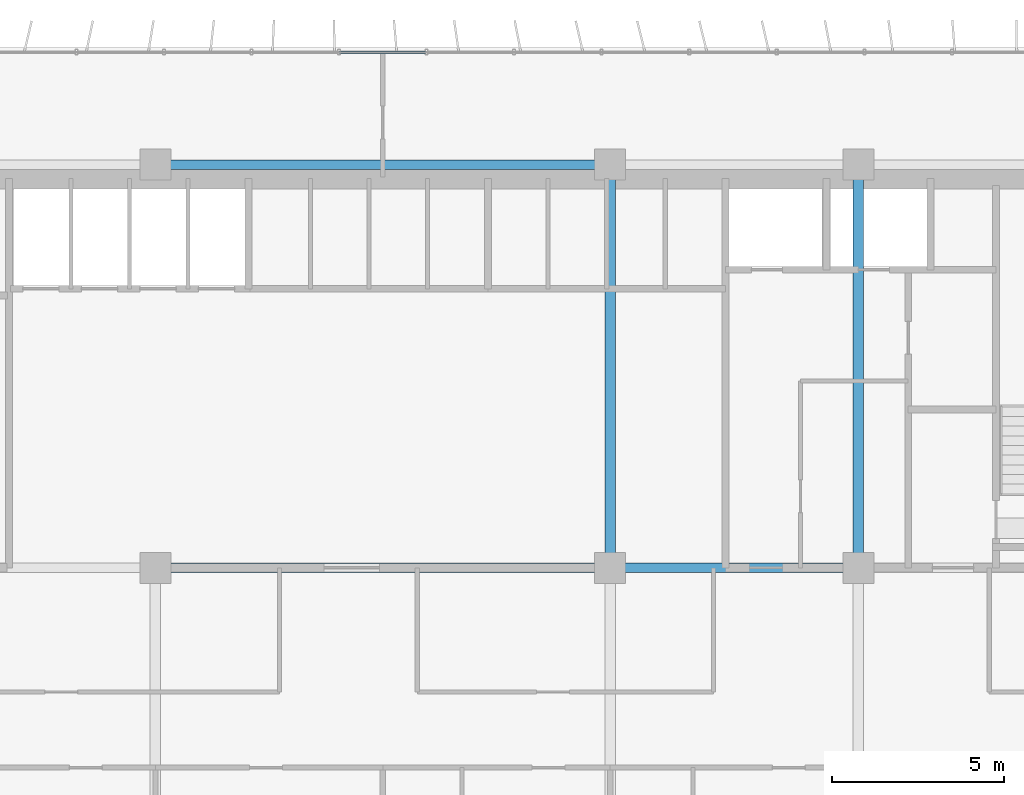
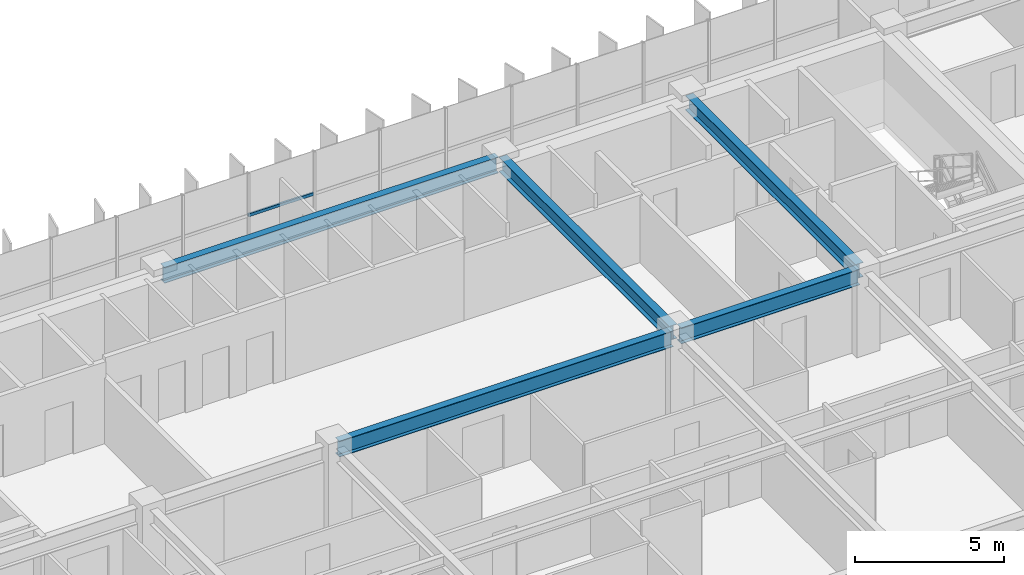
# One storey, part 9 of 24: 5 beams, 1 member, 1 element without a shape of its own.
"""IFC4 building model written with IfcOpenShell, lengths in metres."""

from ifc_helpers import new_model, si_unit, direction, frame, origin, origin_2d, place, context, subcontext, project, spatial, hollow_rectangle, i_section, extrude, source, transform, mapped, material, material_profile, profile_set, type_object, element, aggregate, save


model = new_model("IFC4")

# Units and contexts
model_context = context("Model", 3, precision=1e-05, world=origin(), true_north=direction((0.0, 1.0)))
body_context = subcontext(model_context, "Body", "Model", "MODEL_VIEW")
ifc_project = project(units=[si_unit("LENGTHUNIT", "METRE"), si_unit("AREAUNIT", "SQUARE_METRE"), si_unit("VOLUMEUNIT", "CUBIC_METRE"), si_unit("PLANEANGLEUNIT", "RADIAN"), si_unit("MASSUNIT", "GRAM", prefix="KILO")], contexts=[model_context])

# Site, building, storey
site_placement = place(None, origin())
site = spatial("IfcSite", under=ifc_project, at=site_placement, CompositionType="ELEMENT")
building_placement = place(site_placement, origin())
building = spatial("IfcBuilding", under=site, at=building_placement, Name="Trelvane Seafront Commons", CompositionType="ELEMENT")
storey_placement = place(building_placement, frame((0.0, 0.0, 27.10009765625)))
storey = spatial("IfcBuildingStorey", under=building, at=storey_placement, Name="L06", CompositionType="ELEMENT", Elevation=27.10009765625)

# Beams
ifc_material_1 = material(Name="Steel SM355 (S355)", Category="steel")
ifc_material_profile_1 = material_profile(ifc_material_1, i_section(OverallWidth=0.280029296875, OverallDepth=0.64990234375, WebThickness=0.012939453125, FlangeThickness=0.02197265625, at=origin_2d()), Name="H-650x280x13x22")
ifc_profile_set_1 = profile_set([ifc_material_profile_1], Name="Steel SM355 (S355)")
beam_type_1 = type_object("IfcBeamType", Name="STR-BM-H650", PredefinedType="BEAM", material=ifc_profile_set_1)
shared_shape_1 = source(origin(), body_context, "Body", "SweptSolid", [
    extrude(i_section(OverallWidth=0.280029296875, OverallDepth=0.64990234375, WebThickness=0.012939453125, FlangeThickness=0.02197265625, at=origin_2d()), origin(), (0.0, 0.0, 1.0), 12.89990234375),
])
for number, where, z_axis, x_axis, name in (
    (1, (30.75, 33.39990234375, 3.014892578125), (1.0, 0.0, 0.0), (0.0, 1.0, 0.0), "L06 Primary Girder G-23"),
    (2, (30.75, 45.10009765625, 3.014892578125), (1.0, 0.0, 0.0), (0.0, 1.0, 0.0), "L06 Primary Girder G-32"),
):
    element("IfcBeam", number, at=place(storey_placement, frame(where, z_axis=z_axis, x_axis=x_axis)), inside=storey, type_object=beam_type_1, Name=name, PredefinedType="BEAM", context=body_context, shape_type="MappedRepresentation", body=[
        mapped(shared_shape_1, transform((0.0, 0.0, 0.0), x_axis=(1.0, 0.0, 0.0), y_axis=(0.0, 1.0, 0.0), z_axis=(0.0, 0.0, 1.0), scale=1.0)),
    ])
shared_shape_2 = source(origin(), body_context, "Body", "SweptSolid", [
    extrude(i_section(OverallWidth=0.280029296875, OverallDepth=0.64990234375, WebThickness=0.012939453125, FlangeThickness=0.02197265625, at=origin_2d()), origin(), (0.0, 0.0, 1.0), 6.900146484375),
])
beam_placement = place(storey_placement, frame((43.949951171875, 33.39990234375, 3.014892578125), z_axis=(1.0, 0.0, 0.0), x_axis=(0.0, 1.0, 0.0)))
element("IfcBeam", 3, at=beam_placement, inside=storey, type_object=beam_type_1, Name="L06 Primary Girder G-24", PredefinedType="BEAM", context=body_context, shape_type="MappedRepresentation", body=[
    mapped(shared_shape_2, transform((0.0, 0.0, 0.0), x_axis=(1.0, 0.0, 0.0), y_axis=(0.0, 1.0, 0.0), z_axis=(0.0, 0.0, 1.0), scale=1.0)),
])
ifc_material_profile_2 = material_profile(ifc_material_1, i_section(OverallWidth=0.300048828125, OverallDepth=0.587890625, WebThickness=0.011962890625, FlangeThickness=0.02001953125, at=origin_2d()), Name="H-588x300x12x20")
ifc_profile_set_2 = profile_set([ifc_material_profile_2], Name="Steel SM355 (S355)")
beam_type_2 = type_object("IfcBeamType", Name="STR-BM-H588", PredefinedType="BEAM", material=ifc_profile_set_2)
shared_shape_3 = source(origin(), body_context, "Body", "SweptSolid", [
    extrude(i_section(OverallWidth=0.300048828125, OverallDepth=0.587890625, WebThickness=0.011962890625, FlangeThickness=0.02001953125, at=origin_2d()), origin(), (0.0, 0.0, 1.0), 11.39990234375),
])
for number, where, z_axis, x_axis, name in (
    (4, (43.800048828125, 33.550048828125, 3.0458984375), (0.0, 1.0, 0.0), (-1.0, 0.0, 0.0), "L06 Primary Girder G-54"),
    (5, (51.0, 33.550048828125, 3.0458984375), (0.0, 1.0, 0.0), (-1.0, 0.0, 0.0), "L06 Primary Girder G-57"),
):
    element("IfcBeam", number, at=place(storey_placement, frame(where, z_axis=z_axis, x_axis=x_axis)), inside=storey, type_object=beam_type_2, Name=name, PredefinedType="BEAM", context=body_context, shape_type="MappedRepresentation", body=[
        mapped(shared_shape_3, transform((0.0, 0.0, 0.0), x_axis=(1.0, 0.0, 0.0), y_axis=(0.0, 1.0, 0.0), z_axis=(0.0, 0.0, 1.0), scale=1.0)),
    ])

# Curtain wall, member
ifc_material_2 = material(Name="Anodised pale-silver aluminium", Category="aluminium")
curtain_wall_type = type_object("IfcCurtainWallType", Name="ARCH-CW2-LOWTOWER", PredefinedType="NOTDEFINED", material=ifc_material_2)
curtain_wall_placement = place(storey_placement, origin())
curtain_wall = element("IfcCurtainWall", 6, at=curtain_wall_placement, inside=storey, type_object=curtain_wall_type, Name="CW-L06-0030", PredefinedType="NOTDEFINED")
ifc_material_profile_3 = material_profile(ifc_material_2, hollow_rectangle(XDim=0.070068359375, YDim=0.1201171875, WallThickness=0.00390625, at=origin_2d()), Name="TRAN-70x120x4")
ifc_profile_set_3 = profile_set([ifc_material_profile_3], Name="Anodised pale-silver aluminium")
member_type = type_object("IfcMemberType", Name="ARCH-CW-TRAN-120", PredefinedType="USERDEFINED", material=ifc_profile_set_3)
shared_shape_4 = source(origin(), body_context, "Body", "SweptSolid", [
    extrude(hollow_rectangle(XDim=0.070068359375, YDim=0.1201171875, WallThickness=0.00390625, at=origin_2d()), origin(), (0.0, 0.0, 1.0), 2.51708984375),
])
member_placement = place(storey_placement, frame((35.94140625, 48.3701171875, 1.602783203125), z_axis=(1.0, 0.0, 0.0), x_axis=(0.0, 1.0, 0.0)))
member = element("IfcMember", 7, at=member_placement, type_object=member_type, Name="CW-L06-0030-T08", ObjectType="TRANSOM", PredefinedType="USERDEFINED", context=body_context, shape_type="MappedRepresentation", body=[
    mapped(shared_shape_4, transform((0.0, 0.0, 0.0), x_axis=(1.0, 0.0, 0.0), y_axis=(0.0, 1.0, 0.0), z_axis=(0.0, 0.0, 1.0), scale=1.0)),
])
aggregate(curtain_wall, [member])

save(model, "model.ifc")
